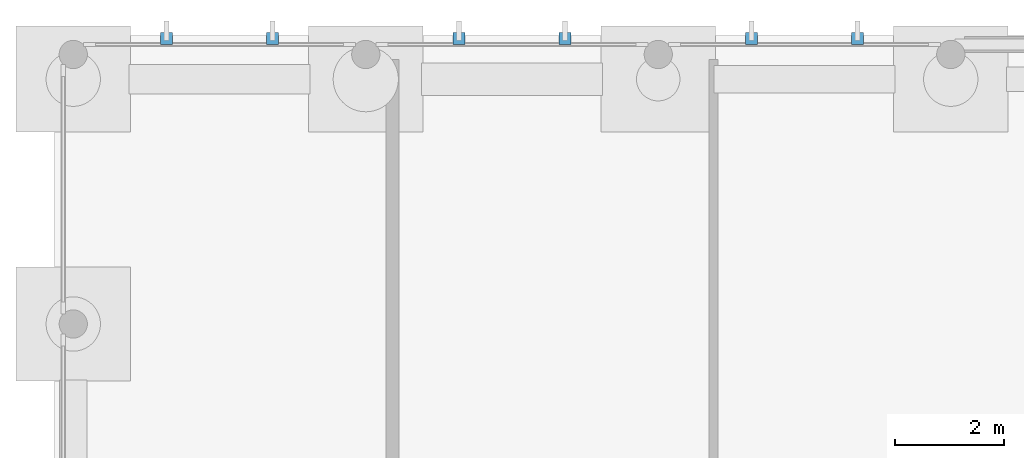
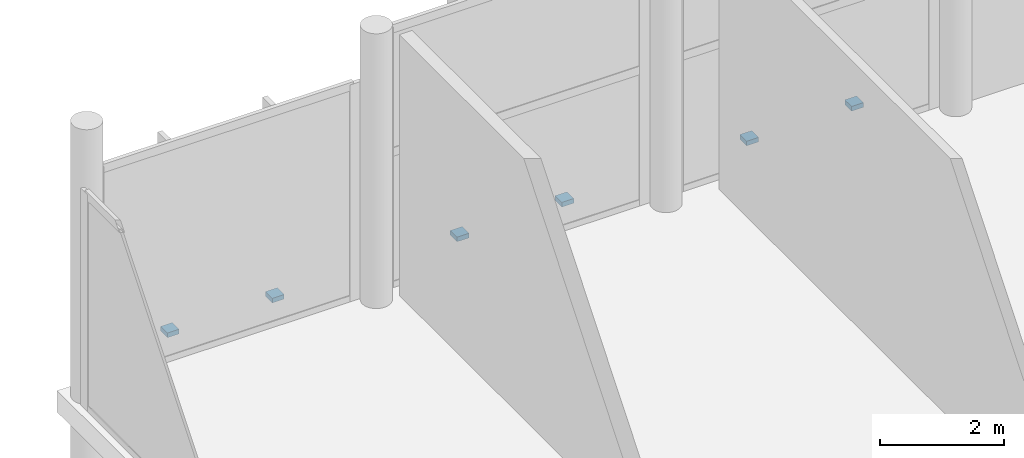
# One storey, part 72 of 88: 6 discrete accessories.
"""IFC4 building model written with IfcOpenShell, lengths in metres."""

import ifcopenshell
import ifcopenshell.guid

model = None  # the IFC model being written
_history = None  # IfcOwnerHistory: only IFC2X3 demands one
_inside = {}  # id of a spatial element -> (the spatial element, [elements in it])
_under = {}  # id of a project, library or spatial element -> (it, [spatial elements below it])
_declared = {}  # id of a project -> (the project, [libraries it declares])
_typed = {}  # id of a type object -> (the type object, [elements of that type])
_made_of = {}  # id of a material, layer set ... -> (it, [elements and type objects made of it])


def new_model(schema):
    """Start an empty IFC model of exactly this schema.

    Asked for "IFC4X3", IfcOpenShell would pick the latest addendum, in which some entities
    have other attributes; the version numbers below select the first issue.
    IFC2X3 requires an IfcOwnerHistory on every rooted entity: one is made here for all.
    """
    global model, _history
    if schema == "IFC4X3":
        model = ifcopenshell.file(schema_version=(4, 3, 0, 0))
    else:
        model = ifcopenshell.file(schema=schema)
    _inside.clear()
    _under.clear()
    _declared.clear()
    _typed.clear()
    _made_of.clear()
    _history = None
    if model.schema == "IFC2X3":
        org = make("IfcOrganization", Name="unknown")
        user = make(
            "IfcPersonAndOrganization",
            ThePerson=make("IfcPerson", FamilyName="unknown"),
            TheOrganization=org,
        )
        app = make(
            "IfcApplication",
            ApplicationDeveloper=org,
            Version="unknown",
            ApplicationFullName="unknown",
            ApplicationIdentifier="unknown",
        )
        _history = make(
            "IfcOwnerHistory",
            OwningUser=user,
            OwningApplication=app,
            ChangeAction="ADDED",
            CreationDate=0,
        )
    return model


def make(cls, **values):
    """One entity of the class cls with the attributes given. An attribute that is None is left unset."""
    return model.create_entity(
        cls, **{name: value for name, value in values.items() if value is not None}
    )


def rooted(cls, **values):
    """An entity with a GlobalId (a new one), such as an element, a storey or a relation."""
    return make(cls, GlobalId=ifcopenshell.guid.new(), OwnerHistory=_history, **values)


def si_unit(unit_type, name, prefix=None):
    """IfcSIUnit, for example si_unit("LENGTHUNIT", "METRE", prefix="MILLI")."""
    return make("IfcSIUnit", UnitType=unit_type, Prefix=prefix, Name=name)


def assignment(units):
    """IfcUnitAssignment: the units of a project."""
    return None if units is None else make("IfcUnitAssignment", Units=units)


def point(xyz):
    """IfcCartesianPoint."""
    return None if xyz is None else make("IfcCartesianPoint", Coordinates=xyz)


def direction(xyz):
    """IfcDirection."""
    return None if xyz is None else make("IfcDirection", DirectionRatios=xyz)


def frame(location, z_axis=None, x_axis=None):
    """IfcAxis2Placement3D, a coordinate frame: its origin and axes. An axis left out is left unset."""
    return make(
        "IfcAxis2Placement3D",
        Location=point(location),
        Axis=direction(z_axis),
        RefDirection=direction(x_axis),
    )


def frame_2d(location, x_axis=None):
    """IfcAxis2Placement2D, a coordinate frame in the plane: its origin and x axis."""
    return make(
        "IfcAxis2Placement2D", Location=point(location), RefDirection=direction(x_axis)
    )


def origin():
    """The frame at (0, 0, 0) with its axes left unset."""
    return frame((0.0, 0.0, 0.0))


def origin_2d():
    """The frame at (0, 0) in the plane with its x axis left unset."""
    return frame_2d((0.0, 0.0))


def place(relative_to, where):
    """IfcLocalPlacement: puts the frame where relative to a parent placement (None: the world)."""
    return make(
        "IfcLocalPlacement", PlacementRelTo=relative_to, RelativePlacement=where
    )


def context(
    kind, dimensions, precision=None, world=None, true_north=None, identifier=None
):
    """IfcGeometricRepresentationContext, for example the 3D "Model" context."""
    return make(
        "IfcGeometricRepresentationContext",
        ContextIdentifier=identifier,
        ContextType=kind,
        CoordinateSpaceDimension=dimensions,
        Precision=precision,
        WorldCoordinateSystem=world,
        TrueNorth=true_north,
    )


def subcontext(parent, identifier, kind, view, scale=None):
    """IfcGeometricRepresentationSubContext, for example "Body" below "Model"."""
    return make(
        "IfcGeometricRepresentationSubContext",
        ContextIdentifier=identifier,
        ContextType=kind,
        ParentContext=parent,
        TargetScale=scale,
        TargetView=view,
    )


def project(units=None, contexts=None):
    """IfcProject with its units and contexts."""
    return rooted(
        "IfcProject",
        Name="project",
        RepresentationContexts=contexts,
        UnitsInContext=assignment(units),
    )


def spatial(cls, under=None, at=None, **own):
    """A site, building, storey or space (cls), placed at a placement, below another one or the project."""
    s = rooted(cls, ObjectPlacement=at, **own)
    if under is not None:
        _under.setdefault(under.id(), (under, []))[1].append(s)
    return s


def profile(cls, at=None, kind="AREA", **sizes):
    """A parametric profile (cls). Its sizes go by their IFC names, for example OverallWidth=200.0."""
    return make(cls, ProfileType=kind, Position=at, **sizes)


def rectangle(**sizes):
    """IfcRectangleProfileDef."""
    return profile("IfcRectangleProfileDef", **sizes)


def extrude(swept, where, along, depth):
    """IfcExtrudedAreaSolid: the profile swept, set in the frame where, extruded along a direction by depth."""
    return make(
        "IfcExtrudedAreaSolid",
        SweptArea=swept,
        Position=where,
        ExtrudedDirection=direction(along),
        Depth=depth,
    )


def shape(context_of_items, identifier, shape_type, items):
    """IfcShapeRepresentation: the items that make up one representation, for example the "Body"."""
    return make(
        "IfcShapeRepresentation",
        ContextOfItems=context_of_items,
        RepresentationIdentifier=identifier,
        RepresentationType=shape_type,
        Items=items,
    )


def material(Name=None, Category=None):
    """IfcMaterial."""
    return make("IfcMaterial", Name=Name, Category=Category)


def layer(
    of_material, thickness, ventilated=None, Name=None, Category=None, Priority=None
):
    """IfcMaterialLayer: one layer of a wall or slab, of a material (None: an air gap)."""
    return make(
        "IfcMaterialLayer",
        Material=of_material,
        LayerThickness=thickness,
        IsVentilated=ventilated,
        Name=Name,
        Category=Category,
        Priority=Priority,
    )


def layer_set(layers, Name=None):
    """IfcMaterialLayerSet."""
    return make("IfcMaterialLayerSet", MaterialLayers=layers, LayerSetName=Name)


def made_of(thing, what):
    """Note that an element or type object is made of a material, layer set ...; save() writes the relation."""
    if what is not None:
        _made_of.setdefault(what.id(), (what, []))[1].append(thing)
    return thing


def type_object(cls, material=None, **own):
    """A type object (cls), such as IfcWallType, which elements share."""
    return made_of(rooted(cls, **own), material)


def element(
    cls,
    number,
    at=None,
    inside=None,
    cuts=None,
    type_object=None,
    material=None,
    context=None,
    identifier="Body",
    shape_type=None,
    held_by="IfcProductDefinitionShape",
    body=None,
    shapes=None,
    **own,
):
    """One element of the class cls, such as IfcWall. Its Tag is "e" and its number.

    at: its placement. inside: the storey or other place that contains it. cuts: it is an
    opening in that element (IfcRelVoidsElement). A single representation is given by context,
    identifier, shape_type and body (its items); several are given by shapes. held_by: the class
    of the entity that holds the representations. save() writes the other relations.
    """
    e = rooted(cls, Tag="e%d" % number, ObjectPlacement=at, **own)
    if body is not None:
        shapes = [shape(context, identifier, shape_type, body)]
    if shapes is not None:
        e.Representation = make(held_by, Representations=shapes)
    if inside is not None:
        _inside.setdefault(inside.id(), (inside, []))[1].append(e)
    if cuts is not None:
        rooted(
            "IfcRelVoidsElement", RelatingBuildingElement=cuts, RelatedOpeningElement=e
        )
    if type_object is not None:
        _typed.setdefault(type_object.id(), (type_object, []))[1].append(e)
    return made_of(e, material)


def aggregate(whole, parts):
    """IfcRelAggregates: a whole, such as a stair, and the parts it consists of."""
    return rooted("IfcRelAggregates", RelatingObject=whole, RelatedObjects=parts)


def save(model, path):
    """Write the relations noted so far, then the file.

    IfcRelAggregates (storeys below a building ...), IfcRelContainedInSpatialStructure (elements
    in a storey), IfcRelDefinesByType, IfcRelAssociatesMaterial and IfcRelDeclares: one each for
    every whole, place, type object, material and project.
    """
    for whole, parts in _under.values():
        aggregate(whole, parts)
    for where, things in _inside.values():
        rooted(
            "IfcRelContainedInSpatialStructure",
            RelatedElements=things,
            RelatingStructure=where,
        )
    for kind, things in _typed.values():
        rooted("IfcRelDefinesByType", RelatedObjects=things, RelatingType=kind)
    for what, things in _made_of.values():
        rooted("IfcRelAssociatesMaterial", RelatedObjects=things, RelatingMaterial=what)
    for by, libraries in _declared.values():
        rooted("IfcRelDeclares", RelatingContext=by, RelatedDefinitions=libraries)
    model.write(path)


model = new_model("IFC4")

# Units and contexts
model_context = context("Model", 3, precision=1e-05, world=origin(), true_north=direction((0.0, 1.0)))
body_context = subcontext(model_context, "Body", "Model", "MODEL_VIEW")
ifc_project = project(units=[si_unit("LENGTHUNIT", "METRE"), si_unit("AREAUNIT", "SQUARE_METRE"), si_unit("VOLUMEUNIT", "CUBIC_METRE"), si_unit("PLANEANGLEUNIT", "RADIAN"), si_unit("MASSUNIT", "GRAM", prefix="KILO")], contexts=[model_context])

# Site, building, storey
site_placement = place(None, origin())
site = spatial("IfcSite", under=ifc_project, at=site_placement, CompositionType="ELEMENT")
building_placement = place(site_placement, origin())
building = spatial("IfcBuilding", under=site, at=building_placement, Name="Birchvale Park Specialist Clinic", CompositionType="ELEMENT")
storey_placement = place(building_placement, origin())
storey = spatial("IfcBuildingStorey", under=building, at=storey_placement, Name="L00", CompositionType="ELEMENT", Elevation=0.0)

# Discrete accessories
ifc_material = material(Name="Anodised aluminium facade bracket", Category="aluminium")
ifc_layer = layer(ifc_material, 0.080078125)
ifc_layer_set = layer_set([ifc_layer], Name="Anodised aluminium facade bracket")
discrete_accessory_type = type_object("IfcDiscreteAccessoryType", Name="ACC-BRK-1", PredefinedType="BRACKET", material=ifc_layer_set)
for number, where, z_axis, x_axis, name in (
    (1, (66.58935546875, 111.695068359375, 0.455078125), (0.0, 0.0, 1.0), (0.0, 1.0, 0.0), "V3 L00 solar fin bracket 3"),
    (2, (64.63916015625, 111.695068359375, 0.455078125), (0.0, 0.0, 1.0), (0.0, 1.0, 0.0), "V3 L00 solar fin bracket 4"),
    (3, (61.20361328125, 111.695068359375, 0.455078125), (0.0, 0.0, 1.0), (0.0, 1.0, 0.0), "V3 L00 solar fin bracket 5"),
    (4, (59.25341796875, 111.695068359375, 0.455078125), (0.0, 0.0, 1.0), (0.0, 1.0, 0.0), "V3 L00 solar fin bracket 6"),
    (5, (55.818115234375, 111.695068359375, 0.455078125), (0.0, 0.0, 1.0), (0.0, 1.0, 0.0), "V3 L00 solar fin bracket 7"),
    (6, (53.86767578125, 111.695068359375, 0.455078125), (0.0, 0.0, 1.0), (0.0, 1.0, 0.0), "V3 L00 solar fin bracket 8"),
):
    element("IfcDiscreteAccessory", number, at=place(storey_placement, frame(where, z_axis=z_axis, x_axis=x_axis)), inside=storey, type_object=discrete_accessory_type, Name=name, PredefinedType="BRACKET", context=body_context, shape_type="SweptSolid", body=[
        extrude(rectangle(XDim=0.219970703125, YDim=0.219970703125, at=origin_2d()), origin(), (0.0, 0.0, 1.0), 0.090087890625),
    ])

save(model, "model.ifc")
